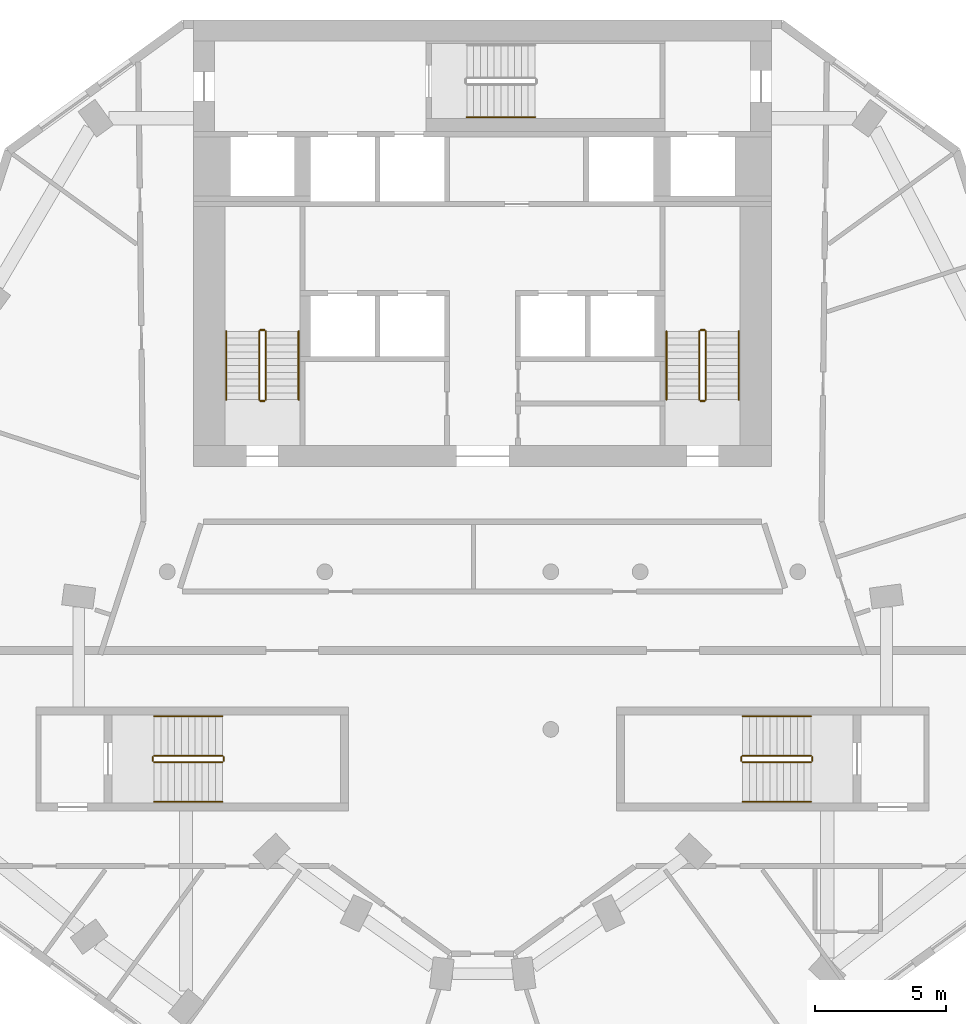
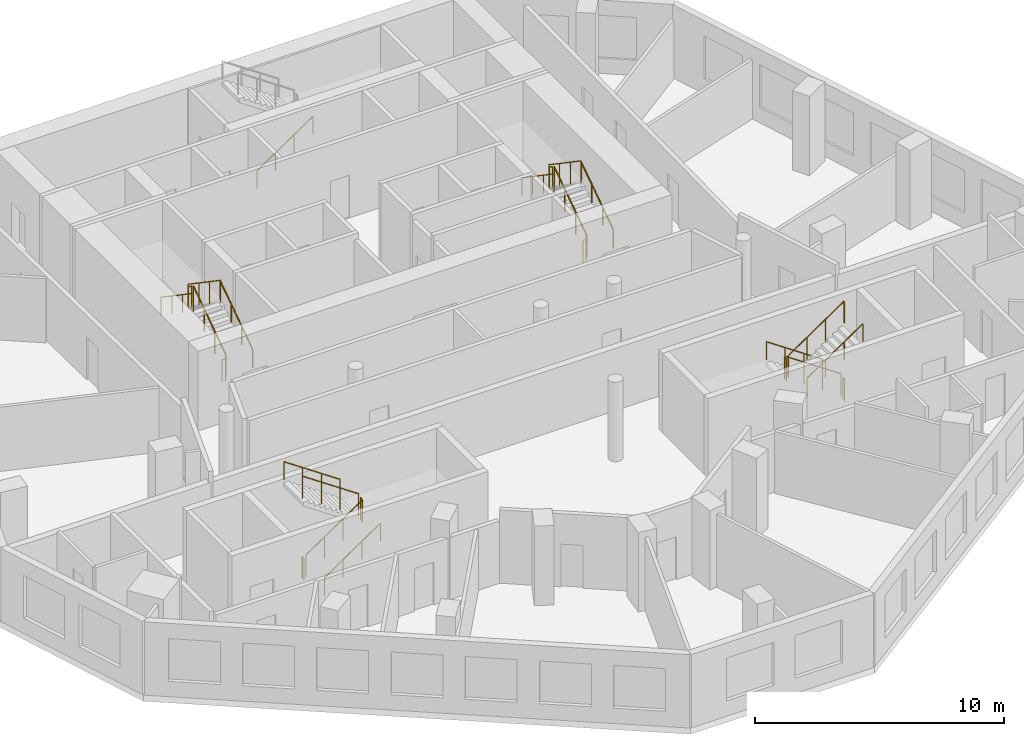
# One storey, part 8 of 9: 25 railings.
"""IFC4 building model written with IfcOpenShell, lengths in metres."""

from ifc_helpers import new_model, si_unit, direction, frame, origin, origin_2d, place, context, subcontext, project, spatial, circle, extrude, material, type_object, element, save


model = new_model("IFC4")

# Units and contexts
model_context = context("Model", 3, precision=1e-05, world=origin(), true_north=direction((0.0, 1.0)))
body_context = subcontext(model_context, "Body", "Model", "MODEL_VIEW")
ifc_project = project(units=[si_unit("LENGTHUNIT", "METRE"), si_unit("AREAUNIT", "SQUARE_METRE"), si_unit("VOLUMEUNIT", "CUBIC_METRE"), si_unit("PLANEANGLEUNIT", "RADIAN"), si_unit("MASSUNIT", "GRAM", prefix="KILO")], contexts=[model_context])

# Site, building, storey
site_placement = place(None, origin())
site = spatial("IfcSite", under=ifc_project, at=site_placement, CompositionType="ELEMENT")
building_placement = place(site_placement, origin())
building = spatial("IfcBuilding", under=site, at=building_placement, Name="White Candle Pilgrim Tower", CompositionType="ELEMENT")
storey_placement = place(building_placement, frame((0.0, 0.0, 223.800048828125)))
storey = spatial("IfcBuildingStorey", under=building, at=storey_placement, Name="L52", CompositionType="ELEMENT", Elevation=223.800048828125)

# Railings
ifc_material = material(Name="Stainless steel", Category="steel")
railing_type_1 = type_object("IfcRailingType", Name="Stair guard stainless steel 1100 mm", PredefinedType="GUARDRAIL", material=ifc_material)
railing_1_placement = place(storey_placement, frame((61.75, 73.550048828125, 0.17724609375)))
element("IfcRailing", 1, at=railing_1_placement, inside=storey, type_object=railing_type_1, Name="L52 ST1 stair guard 1", PredefinedType="GUARDRAIL", context=body_context, shape_type="SweptSolid", body=[
    extrude(circle(Radius=0.02392578125, at=origin_2d()), frame((0.0, 0.0, 1.076171875), z_axis=(0.0, 0.826215852431, 0.563353676824), x_axis=(-1.0, 0.0, 0.0)), (0.0, 0.0, 1.0), 3.146728515625),
    extrude(circle(Radius=0.02099609375, at=origin_2d()), origin(), (0.0, 0.0, 1.0), 1.052001953125),
    extrude(circle(Radius=0.02099609375, at=origin_2d()), frame((0.0, 0.86669921875, 0.5908203125)), (0.0, 0.0, 1.0), 1.052001953125),
    extrude(circle(Radius=0.02099609375, at=origin_2d()), frame((0.0, 1.733154296875, 1.181884765625)), (0.0, 0.0, 1.0), 1.052001953125),
    extrude(circle(Radius=0.02099609375, at=origin_2d()), frame((0.0, 2.599853515625, 1.772705078125)), (0.0, 0.0, 1.0), 1.052001953125),
])
railing_2_placement = place(storey_placement, frame((61.699951171875, 76.199951171875, 1.949951171875)))
element("IfcRailing", 2, at=railing_2_placement, inside=storey, type_object=railing_type_1, Name="L52 ST1 stair guard 2", PredefinedType="GUARDRAIL", context=body_context, shape_type="SweptSolid", body=[
    extrude(circle(Radius=0.02392578125, at=origin_2d()), frame((0.0, 0.0, 1.076171875), z_axis=(-1.0, 0.0, 0.0), x_axis=(0.0, -1.0, 0.0)), (0.0, 0.0, 1.0), 0.14990234375),
    extrude(circle(Radius=0.02099609375, at=origin_2d()), origin(), (0.0, 0.0, 1.0), 1.052001953125),
    extrude(circle(Radius=0.02099609375, at=origin_2d()), frame((-0.14990234375, 0.0, 0.0)), (0.0, 0.0, 1.0), 1.052001953125),
])
railing_3_placement = place(storey_placement, frame((61.5, 76.14990234375, 2.127197265625)))
element("IfcRailing", 3, at=railing_3_placement, inside=storey, type_object=railing_type_1, Name="L52 ST1 stair guard 3", PredefinedType="GUARDRAIL", context=body_context, shape_type="SweptSolid", body=[
    extrude(circle(Radius=0.02392578125, at=origin_2d()), frame((0.0, 0.0, 1.076171875), z_axis=(0.0, -0.826215852431, 0.563353676824), x_axis=(1.0, 0.0, 0.0)), (0.0, 0.0, 1.0), 3.146728515625),
    extrude(circle(Radius=0.02099609375, at=origin_2d()), origin(), (0.0, 0.0, 1.0), 1.052001953125),
    extrude(circle(Radius=0.02099609375, at=origin_2d()), frame((0.0, -0.86669921875, 0.5908203125)), (0.0, 0.0, 1.0), 1.052001953125),
    extrude(circle(Radius=0.02099609375, at=origin_2d()), frame((0.0, -1.733154296875, 1.181884765625)), (0.0, 0.0, 1.0), 1.052001953125),
    extrude(circle(Radius=0.02099609375, at=origin_2d()), frame((0.0, -2.599853515625, 1.772705078125)), (0.0, 0.0, 1.0), 1.052001953125),
])
railing_4_placement = place(storey_placement, frame((61.699951171875, 73.5, 0.0)))
element("IfcRailing", 4, at=railing_4_placement, inside=storey, type_object=railing_type_1, Name="L52 ST1 stair guard 4", PredefinedType="GUARDRAIL", context=body_context, shape_type="SweptSolid", body=[
    extrude(circle(Radius=0.02392578125, at=origin_2d()), frame((0.0, 0.0, 1.076171875), z_axis=(-1.0, 0.0, 0.0), x_axis=(0.0, -1.0, 0.0)), (0.0, 0.0, 1.0), 0.14990234375),
    extrude(circle(Radius=0.02099609375, at=origin_2d()), origin(), (0.0, 0.0, 1.0), 1.052001953125),
    extrude(circle(Radius=0.02099609375, at=origin_2d()), frame((-0.14990234375, 0.0, 0.0)), (0.0, 0.0, 1.0), 1.052001953125),
])
railing_5_placement = place(storey_placement, frame((78.5, 73.550048828125, 0.17724609375)))
element("IfcRailing", 5, at=railing_5_placement, inside=storey, type_object=railing_type_1, Name="L52 ST2 stair guard 1", PredefinedType="GUARDRAIL", context=body_context, shape_type="SweptSolid", body=[
    extrude(circle(Radius=0.02392578125, at=origin_2d()), frame((0.0, 0.0, 1.076171875), z_axis=(0.0, 0.826215852431, 0.563353676824), x_axis=(-1.0, 0.0, 0.0)), (0.0, 0.0, 1.0), 3.146728515625),
    extrude(circle(Radius=0.02099609375, at=origin_2d()), origin(), (0.0, 0.0, 1.0), 1.052001953125),
    extrude(circle(Radius=0.02099609375, at=origin_2d()), frame((0.0, 0.86669921875, 0.5908203125)), (0.0, 0.0, 1.0), 1.052001953125),
    extrude(circle(Radius=0.02099609375, at=origin_2d()), frame((0.0, 1.733154296875, 1.181884765625)), (0.0, 0.0, 1.0), 1.052001953125),
    extrude(circle(Radius=0.02099609375, at=origin_2d()), frame((0.0, 2.599853515625, 1.772705078125)), (0.0, 0.0, 1.0), 1.052001953125),
])
railing_6_placement = place(storey_placement, frame((78.449951171875, 76.199951171875, 1.949951171875)))
element("IfcRailing", 6, at=railing_6_placement, inside=storey, type_object=railing_type_1, Name="L52 ST2 stair guard 2", PredefinedType="GUARDRAIL", context=body_context, shape_type="SweptSolid", body=[
    extrude(circle(Radius=0.02392578125, at=origin_2d()), frame((0.0, 0.0, 1.076171875), z_axis=(-1.0, 0.0, 0.0), x_axis=(0.0, -1.0, 0.0)), (0.0, 0.0, 1.0), 0.14990234375),
    extrude(circle(Radius=0.02099609375, at=origin_2d()), origin(), (0.0, 0.0, 1.0), 1.052001953125),
    extrude(circle(Radius=0.02099609375, at=origin_2d()), frame((-0.14990234375, 0.0, 0.0)), (0.0, 0.0, 1.0), 1.052001953125),
])
railing_7_placement = place(storey_placement, frame((78.25, 76.14990234375, 2.127197265625)))
element("IfcRailing", 7, at=railing_7_placement, inside=storey, type_object=railing_type_1, Name="L52 ST2 stair guard 3", PredefinedType="GUARDRAIL", context=body_context, shape_type="SweptSolid", body=[
    extrude(circle(Radius=0.02392578125, at=origin_2d()), frame((0.0, 0.0, 1.076171875), z_axis=(0.0, -0.826215852431, 0.563353676824), x_axis=(1.0, 0.0, 0.0)), (0.0, 0.0, 1.0), 3.146728515625),
    extrude(circle(Radius=0.02099609375, at=origin_2d()), origin(), (0.0, 0.0, 1.0), 1.052001953125),
    extrude(circle(Radius=0.02099609375, at=origin_2d()), frame((0.0, -0.86669921875, 0.5908203125)), (0.0, 0.0, 1.0), 1.052001953125),
    extrude(circle(Radius=0.02099609375, at=origin_2d()), frame((0.0, -1.733154296875, 1.181884765625)), (0.0, 0.0, 1.0), 1.052001953125),
    extrude(circle(Radius=0.02099609375, at=origin_2d()), frame((0.0, -2.599853515625, 1.772705078125)), (0.0, 0.0, 1.0), 1.052001953125),
])
railing_8_placement = place(storey_placement, frame((78.449951171875, 73.5, 0.0)))
element("IfcRailing", 8, at=railing_8_placement, inside=storey, type_object=railing_type_1, Name="L52 ST2 stair guard 4", PredefinedType="GUARDRAIL", context=body_context, shape_type="SweptSolid", body=[
    extrude(circle(Radius=0.02392578125, at=origin_2d()), frame((0.0, 0.0, 1.076171875), z_axis=(-1.0, 0.0, 0.0), x_axis=(0.0, -1.0, 0.0)), (0.0, 0.0, 1.0), 0.14990234375),
    extrude(circle(Radius=0.02099609375, at=origin_2d()), origin(), (0.0, 0.0, 1.0), 1.052001953125),
    extrude(circle(Radius=0.02099609375, at=origin_2d()), frame((-0.14990234375, 0.0, 0.0)), (0.0, 0.0, 1.0), 1.052001953125),
])
railing_9_placement = place(storey_placement, frame((82.5, 60.0, 0.17724609375)))
element("IfcRailing", 9, at=railing_9_placement, inside=storey, type_object=railing_type_1, Name="L52 ST4 stair guard 1", PredefinedType="GUARDRAIL", context=body_context, shape_type="SweptSolid", body=[
    extrude(circle(Radius=0.02392578125, at=origin_2d()), frame((0.0, 0.0, 1.076171875), z_axis=(-0.826240473404, 0.0, 0.563317565952), x_axis=(0.0, -1.0, 0.0)), (0.0, 0.0, 1.0), 3.14697265625),
    extrude(circle(Radius=0.02099609375, at=origin_2d()), origin(), (0.0, 0.0, 1.0), 1.052001953125),
    extrude(circle(Radius=0.02099609375, at=origin_2d()), frame((-0.86669921875, 0.0, 0.5908203125)), (0.0, 0.0, 1.0), 1.052001953125),
    extrude(circle(Radius=0.02099609375, at=origin_2d()), frame((-1.7333984375, 0.0, 1.181884765625)), (0.0, 0.0, 1.0), 1.052001953125),
    extrude(circle(Radius=0.02099609375, at=origin_2d()), frame((-2.60009765625, 0.0, 1.772705078125)), (0.0, 0.0, 1.0), 1.052001953125),
])
railing_10_placement = place(storey_placement, frame((79.85009765625, 59.949951171875, 1.949951171875)))
element("IfcRailing", 10, at=railing_10_placement, inside=storey, type_object=railing_type_1, Name="L52 ST4 stair guard 2", PredefinedType="GUARDRAIL", context=body_context, shape_type="SweptSolid", body=[
    extrude(circle(Radius=0.02392578125, at=origin_2d()), frame((0.0, 0.0, 1.076171875), z_axis=(0.0, -1.0, 0.0), x_axis=(1.0, 0.0, 0.0)), (0.0, 0.0, 1.0), 0.14990234375),
    extrude(circle(Radius=0.02099609375, at=origin_2d()), origin(), (0.0, 0.0, 1.0), 1.052001953125),
    extrude(circle(Radius=0.02099609375, at=origin_2d()), frame((0.0, -0.14990234375, 0.0)), (0.0, 0.0, 1.0), 1.052001953125),
])
railing_11_placement = place(storey_placement, frame((79.89990234375, 59.75, 2.127197265625)))
element("IfcRailing", 11, at=railing_11_placement, inside=storey, type_object=railing_type_1, Name="L52 ST4 stair guard 3", PredefinedType="GUARDRAIL", context=body_context, shape_type="SweptSolid", body=[
    extrude(circle(Radius=0.02392578125, at=origin_2d()), frame((0.0, 0.0, 1.076171875), z_axis=(0.826240473404, 0.0, 0.563317565952), x_axis=(0.0, 1.0, 0.0)), (0.0, 0.0, 1.0), 3.14697265625),
    extrude(circle(Radius=0.02099609375, at=origin_2d()), origin(), (0.0, 0.0, 1.0), 1.052001953125),
    extrude(circle(Radius=0.02099609375, at=origin_2d()), frame((0.86669921875, 0.0, 0.5908203125)), (0.0, 0.0, 1.0), 1.052001953125),
    extrude(circle(Radius=0.02099609375, at=origin_2d()), frame((1.7333984375, 0.0, 1.181884765625)), (0.0, 0.0, 1.0), 1.052001953125),
    extrude(circle(Radius=0.02099609375, at=origin_2d()), frame((2.60009765625, 0.0, 1.772705078125)), (0.0, 0.0, 1.0), 1.052001953125),
])
railing_12_placement = place(storey_placement, frame((82.550048828125, 59.949951171875, 0.0)))
element("IfcRailing", 12, at=railing_12_placement, inside=storey, type_object=railing_type_1, Name="L52 ST4 stair guard 4", PredefinedType="GUARDRAIL", context=body_context, shape_type="SweptSolid", body=[
    extrude(circle(Radius=0.02392578125, at=origin_2d()), frame((0.0, 0.0, 1.076171875), z_axis=(0.0, -1.0, 0.0), x_axis=(1.0, 0.0, 0.0)), (0.0, 0.0, 1.0), 0.14990234375),
    extrude(circle(Radius=0.02099609375, at=origin_2d()), origin(), (0.0, 0.0, 1.0), 1.052001953125),
    extrude(circle(Radius=0.02099609375, at=origin_2d()), frame((0.0, -0.14990234375, 0.0)), (0.0, 0.0, 1.0), 1.052001953125),
])
railing_13_placement = place(storey_placement, frame((57.5, 59.75, 0.17724609375)))
element("IfcRailing", 13, at=railing_13_placement, inside=storey, type_object=railing_type_1, Name="L52 ST5 stair guard 1", PredefinedType="GUARDRAIL", context=body_context, shape_type="SweptSolid", body=[
    extrude(circle(Radius=0.02392578125, at=origin_2d()), frame((0.0, 0.0, 1.076171875), z_axis=(0.826240473404, 0.0, 0.563317565952), x_axis=(0.0, 1.0, 0.0)), (0.0, 0.0, 1.0), 3.14697265625),
    extrude(circle(Radius=0.02099609375, at=origin_2d()), origin(), (0.0, 0.0, 1.0), 1.052001953125),
    extrude(circle(Radius=0.02099609375, at=origin_2d()), frame((0.86669921875, 0.0, 0.5908203125)), (0.0, 0.0, 1.0), 1.052001953125),
    extrude(circle(Radius=0.02099609375, at=origin_2d()), frame((1.7333984375, 0.0, 1.181884765625)), (0.0, 0.0, 1.0), 1.052001953125),
    extrude(circle(Radius=0.02099609375, at=origin_2d()), frame((2.60009765625, 0.0, 1.772705078125)), (0.0, 0.0, 1.0), 1.052001953125),
])
railing_14_placement = place(storey_placement, frame((60.14990234375, 59.800048828125, 1.949951171875)))
element("IfcRailing", 14, at=railing_14_placement, inside=storey, type_object=railing_type_1, Name="L52 ST5 stair guard 2", PredefinedType="GUARDRAIL", context=body_context, shape_type="SweptSolid", body=[
    extrude(circle(Radius=0.02392578125, at=origin_2d()), frame((0.0, 0.0, 1.076171875), z_axis=(0.0, 1.0, 0.0), x_axis=(-1.0, 0.0, 0.0)), (0.0, 0.0, 1.0), 0.14990234375),
    extrude(circle(Radius=0.02099609375, at=origin_2d()), origin(), (0.0, 0.0, 1.0), 1.052001953125),
    extrude(circle(Radius=0.02099609375, at=origin_2d()), frame((0.0, 0.14990234375, 0.0)), (0.0, 0.0, 1.0), 1.052001953125),
])
railing_15_placement = place(storey_placement, frame((60.10009765625, 60.0, 2.127197265625)))
element("IfcRailing", 15, at=railing_15_placement, inside=storey, type_object=railing_type_1, Name="L52 ST5 stair guard 3", PredefinedType="GUARDRAIL", context=body_context, shape_type="SweptSolid", body=[
    extrude(circle(Radius=0.02392578125, at=origin_2d()), frame((0.0, 0.0, 1.076171875), z_axis=(-0.826240473404, 0.0, 0.563317565952), x_axis=(0.0, -1.0, 0.0)), (0.0, 0.0, 1.0), 3.14697265625),
    extrude(circle(Radius=0.02099609375, at=origin_2d()), origin(), (0.0, 0.0, 1.0), 1.052001953125),
    extrude(circle(Radius=0.02099609375, at=origin_2d()), frame((-0.86669921875, 0.0, 0.5908203125)), (0.0, 0.0, 1.0), 1.052001953125),
    extrude(circle(Radius=0.02099609375, at=origin_2d()), frame((-1.7333984375, 0.0, 1.181884765625)), (0.0, 0.0, 1.0), 1.052001953125),
    extrude(circle(Radius=0.02099609375, at=origin_2d()), frame((-2.60009765625, 0.0, 1.772705078125)), (0.0, 0.0, 1.0), 1.052001953125),
])
railing_16_placement = place(storey_placement, frame((57.449951171875, 59.800048828125, 0.0)))
element("IfcRailing", 16, at=railing_16_placement, inside=storey, type_object=railing_type_1, Name="L52 ST5 stair guard 4", PredefinedType="GUARDRAIL", context=body_context, shape_type="SweptSolid", body=[
    extrude(circle(Radius=0.02392578125, at=origin_2d()), frame((0.0, 0.0, 1.076171875), z_axis=(0.0, 1.0, 0.0), x_axis=(-1.0, 0.0, 0.0)), (0.0, 0.0, 1.0), 0.14990234375),
    extrude(circle(Radius=0.02099609375, at=origin_2d()), origin(), (0.0, 0.0, 1.0), 1.052001953125),
    extrude(circle(Radius=0.02099609375, at=origin_2d()), frame((0.0, 0.14990234375, 0.0)), (0.0, 0.0, 1.0), 1.052001953125),
])
railing_type_2 = type_object("IfcRailingType", Name="Stair handrail stainless steel", PredefinedType="HANDRAIL", material=ifc_material)
railing_17_placement = place(storey_placement, frame((63.0, 73.550048828125, 0.17724609375)))
element("IfcRailing", 17, at=railing_17_placement, inside=storey, type_object=railing_type_2, Name="L52 ST1 stair handrail 1", PredefinedType="HANDRAIL", context=body_context, shape_type="SweptSolid", body=[
    extrude(circle(Radius=0.02392578125, at=origin_2d()), frame((0.0, 0.0, 0.8759765625), z_axis=(0.0, 0.826215852431, 0.563353676824), x_axis=(-1.0, 0.0, 0.0)), (0.0, 0.0, 1.0), 3.146728515625),
    extrude(circle(Radius=0.02099609375, at=origin_2d()), origin(), (0.0, 0.0, 1.0), 0.851806640625),
    extrude(circle(Radius=0.02099609375, at=origin_2d()), frame((0.0, 0.86669921875, 0.5908203125)), (0.0, 0.0, 1.0), 0.851806640625),
    extrude(circle(Radius=0.02099609375, at=origin_2d()), frame((0.0, 1.733154296875, 1.181884765625)), (0.0, 0.0, 1.0), 0.851806640625),
    extrude(circle(Radius=0.02099609375, at=origin_2d()), frame((0.0, 2.599853515625, 1.772705078125)), (0.0, 0.0, 1.0), 0.851806640625),
])
railing_18_placement = place(storey_placement, frame((60.25, 76.14990234375, 2.127197265625)))
element("IfcRailing", 18, at=railing_18_placement, inside=storey, type_object=railing_type_2, Name="L52 ST1 stair handrail 2", PredefinedType="HANDRAIL", context=body_context, shape_type="SweptSolid", body=[
    extrude(circle(Radius=0.02392578125, at=origin_2d()), frame((0.0, 0.0, 0.8759765625), z_axis=(0.0, -0.826215852431, 0.563353676824), x_axis=(1.0, 0.0, 0.0)), (0.0, 0.0, 1.0), 3.146728515625),
    extrude(circle(Radius=0.02099609375, at=origin_2d()), origin(), (0.0, 0.0, 1.0), 0.851806640625),
    extrude(circle(Radius=0.02099609375, at=origin_2d()), frame((0.0, -0.86669921875, 0.5908203125)), (0.0, 0.0, 1.0), 0.851806640625),
    extrude(circle(Radius=0.02099609375, at=origin_2d()), frame((0.0, -1.733154296875, 1.181884765625)), (0.0, 0.0, 1.0), 0.851806640625),
    extrude(circle(Radius=0.02099609375, at=origin_2d()), frame((0.0, -2.599853515625, 1.772705078125)), (0.0, 0.0, 1.0), 0.851806640625),
])
railing_19_placement = place(storey_placement, frame((79.75, 73.550048828125, 0.17724609375)))
element("IfcRailing", 19, at=railing_19_placement, inside=storey, type_object=railing_type_2, Name="L52 ST2 stair handrail 1", PredefinedType="HANDRAIL", context=body_context, shape_type="SweptSolid", body=[
    extrude(circle(Radius=0.02392578125, at=origin_2d()), frame((0.0, 0.0, 0.8759765625), z_axis=(0.0, 0.826215852431, 0.563353676824), x_axis=(-1.0, 0.0, 0.0)), (0.0, 0.0, 1.0), 3.146728515625),
    extrude(circle(Radius=0.02099609375, at=origin_2d()), origin(), (0.0, 0.0, 1.0), 0.851806640625),
    extrude(circle(Radius=0.02099609375, at=origin_2d()), frame((0.0, 0.86669921875, 0.5908203125)), (0.0, 0.0, 1.0), 0.851806640625),
    extrude(circle(Radius=0.02099609375, at=origin_2d()), frame((0.0, 1.733154296875, 1.181884765625)), (0.0, 0.0, 1.0), 0.851806640625),
    extrude(circle(Radius=0.02099609375, at=origin_2d()), frame((0.0, 2.599853515625, 1.772705078125)), (0.0, 0.0, 1.0), 0.851806640625),
])
railing_20_placement = place(storey_placement, frame((77.0, 76.14990234375, 2.127197265625)))
element("IfcRailing", 20, at=railing_20_placement, inside=storey, type_object=railing_type_2, Name="L52 ST2 stair handrail 2", PredefinedType="HANDRAIL", context=body_context, shape_type="SweptSolid", body=[
    extrude(circle(Radius=0.02392578125, at=origin_2d()), frame((0.0, 0.0, 0.8759765625), z_axis=(0.0, -0.826215852431, 0.563353676824), x_axis=(1.0, 0.0, 0.0)), (0.0, 0.0, 1.0), 3.146728515625),
    extrude(circle(Radius=0.02099609375, at=origin_2d()), origin(), (0.0, 0.0, 1.0), 0.851806640625),
    extrude(circle(Radius=0.02099609375, at=origin_2d()), frame((0.0, -0.86669921875, 0.5908203125)), (0.0, 0.0, 1.0), 0.851806640625),
    extrude(circle(Radius=0.02099609375, at=origin_2d()), frame((0.0, -1.733154296875, 1.181884765625)), (0.0, 0.0, 1.0), 0.851806640625),
    extrude(circle(Radius=0.02099609375, at=origin_2d()), frame((0.0, -2.599853515625, 1.772705078125)), (0.0, 0.0, 1.0), 0.851806640625),
])
railing_21_placement = place(storey_placement, frame((69.39990234375, 84.300048828125, 0.17724609375)))
element("IfcRailing", 21, at=railing_21_placement, inside=storey, type_object=railing_type_2, Name="L52 ST3 stair handrail 1", PredefinedType="HANDRAIL", context=body_context, shape_type="SweptSolid", body=[
    extrude(circle(Radius=0.02392578125, at=origin_2d()), frame((0.0, 0.0, 0.8759765625), z_axis=(0.826240473404, 0.0, 0.563317565952), x_axis=(0.0, 1.0, 0.0)), (0.0, 0.0, 1.0), 3.14697265625),
    extrude(circle(Radius=0.02099609375, at=origin_2d()), origin(), (0.0, 0.0, 1.0), 0.851806640625),
    extrude(circle(Radius=0.02099609375, at=origin_2d()), frame((0.86669921875, 0.0, 0.5908203125)), (0.0, 0.0, 1.0), 0.851806640625),
    extrude(circle(Radius=0.02099609375, at=origin_2d()), frame((1.7333984375, 0.0, 1.181884765625)), (0.0, 0.0, 1.0), 0.851806640625),
    extrude(circle(Radius=0.02099609375, at=origin_2d()), frame((2.60009765625, 0.0, 1.772705078125)), (0.0, 0.0, 1.0), 0.851806640625),
])
railing_22_placement = place(storey_placement, frame((82.5, 61.5, 0.17724609375)))
element("IfcRailing", 22, at=railing_22_placement, inside=storey, type_object=railing_type_2, Name="L52 ST4 stair handrail 1", PredefinedType="HANDRAIL", context=body_context, shape_type="SweptSolid", body=[
    extrude(circle(Radius=0.02392578125, at=origin_2d()), frame((0.0, 0.0, 0.8759765625), z_axis=(-0.826240473404, 0.0, 0.563317565952), x_axis=(0.0, -1.0, 0.0)), (0.0, 0.0, 1.0), 3.14697265625),
    extrude(circle(Radius=0.02099609375, at=origin_2d()), origin(), (0.0, 0.0, 1.0), 0.851806640625),
    extrude(circle(Radius=0.02099609375, at=origin_2d()), frame((-0.86669921875, 0.0, 0.5908203125)), (0.0, 0.0, 1.0), 0.851806640625),
    extrude(circle(Radius=0.02099609375, at=origin_2d()), frame((-1.7333984375, 0.0, 1.181884765625)), (0.0, 0.0, 1.0), 0.851806640625),
    extrude(circle(Radius=0.02099609375, at=origin_2d()), frame((-2.60009765625, 0.0, 1.772705078125)), (0.0, 0.0, 1.0), 0.851806640625),
])
for number, where, name in (
    (23, (79.89990234375, 58.25, 2.127197265625), "L52 ST4 stair handrail 2"),
    (24, (57.5, 58.25, 0.17724609375), "L52 ST5 stair handrail 1"),
):
    element("IfcRailing", number, at=place(storey_placement, frame(where)), inside=storey, type_object=railing_type_2, Name=name, PredefinedType="HANDRAIL", context=body_context, shape_type="SweptSolid", body=[
        extrude(circle(Radius=0.02392578125, at=origin_2d()), frame((0.0, 0.0, 0.8759765625), z_axis=(0.826240473404, 0.0, 0.563317565952), x_axis=(0.0, 1.0, 0.0)), (0.0, 0.0, 1.0), 3.14697265625),
        extrude(circle(Radius=0.02099609375, at=origin_2d()), origin(), (0.0, 0.0, 1.0), 0.851806640625),
        extrude(circle(Radius=0.02099609375, at=origin_2d()), frame((0.86669921875, 0.0, 0.5908203125)), (0.0, 0.0, 1.0), 0.851806640625),
        extrude(circle(Radius=0.02099609375, at=origin_2d()), frame((1.7333984375, 0.0, 1.181884765625)), (0.0, 0.0, 1.0), 0.851806640625),
        extrude(circle(Radius=0.02099609375, at=origin_2d()), frame((2.60009765625, 0.0, 1.772705078125)), (0.0, 0.0, 1.0), 0.851806640625),
    ])
railing_23_placement = place(storey_placement, frame((60.10009765625, 61.5, 2.127197265625)))
element("IfcRailing", 25, at=railing_23_placement, inside=storey, type_object=railing_type_2, Name="L52 ST5 stair handrail 2", PredefinedType="HANDRAIL", context=body_context, shape_type="SweptSolid", body=[
    extrude(circle(Radius=0.02392578125, at=origin_2d()), frame((0.0, 0.0, 0.8759765625), z_axis=(-0.826240473404, 0.0, 0.563317565952), x_axis=(0.0, -1.0, 0.0)), (0.0, 0.0, 1.0), 3.14697265625),
    extrude(circle(Radius=0.02099609375, at=origin_2d()), origin(), (0.0, 0.0, 1.0), 0.851806640625),
    extrude(circle(Radius=0.02099609375, at=origin_2d()), frame((-0.86669921875, 0.0, 0.5908203125)), (0.0, 0.0, 1.0), 0.851806640625),
    extrude(circle(Radius=0.02099609375, at=origin_2d()), frame((-1.7333984375, 0.0, 1.181884765625)), (0.0, 0.0, 1.0), 0.851806640625),
    extrude(circle(Radius=0.02099609375, at=origin_2d()), frame((-2.60009765625, 0.0, 1.772705078125)), (0.0, 0.0, 1.0), 0.851806640625),
])

save(model, "model.ifc")
